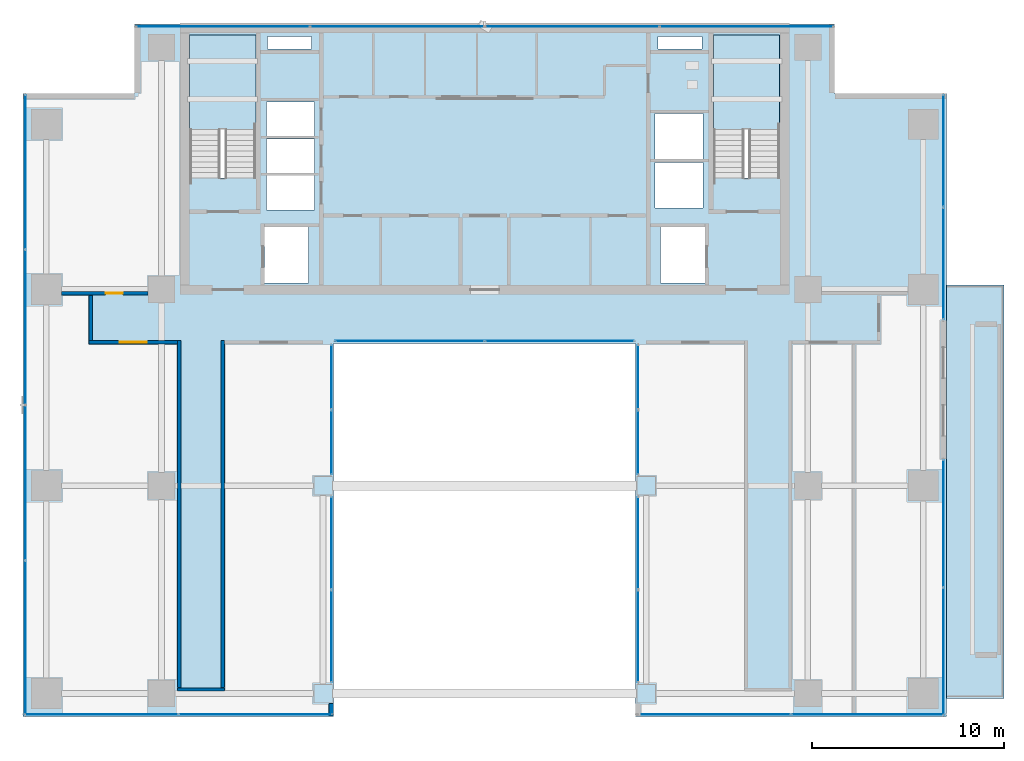
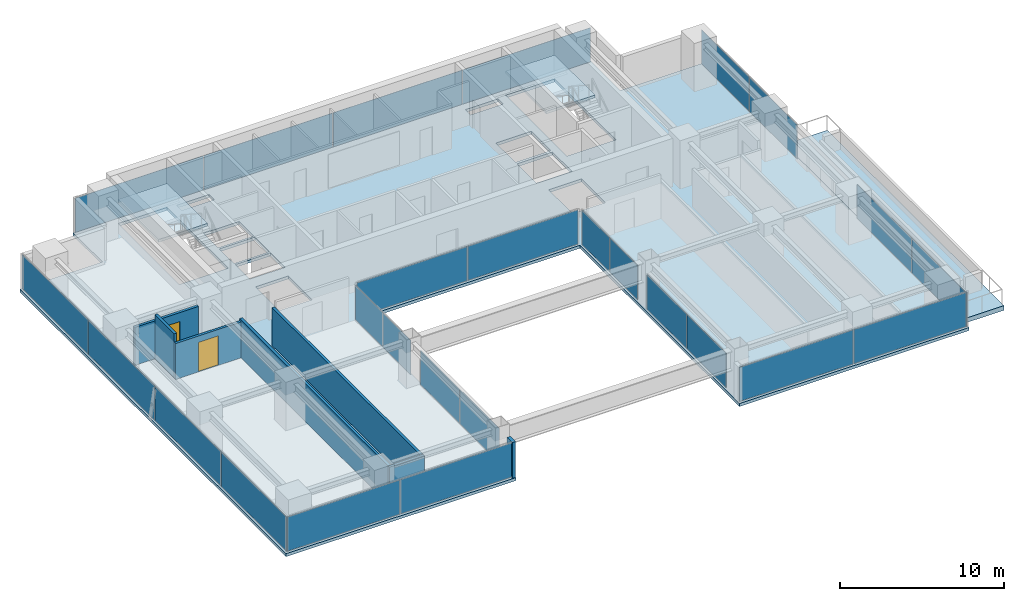
# One storey, part 25 of 32: 26 plates, 7 walls, 4 slabs, 2 doors, 2 openings, 13 elements without a shape of their own.
"""IFC4 building model written with IfcOpenShell, lengths in metres."""

import ifcopenshell
import ifcopenshell.guid

model = None  # the IFC model being written
_history = None  # IfcOwnerHistory: only IFC2X3 demands one
_inside = {}  # id of a spatial element -> (the spatial element, [elements in it])
_under = {}  # id of a project, library or spatial element -> (it, [spatial elements below it])
_declared = {}  # id of a project -> (the project, [libraries it declares])
_typed = {}  # id of a type object -> (the type object, [elements of that type])
_made_of = {}  # id of a material, layer set ... -> (it, [elements and type objects made of it])


def new_model(schema):
    """Start an empty IFC model of exactly this schema.

    Asked for "IFC4X3", IfcOpenShell would pick the latest addendum, in which some entities
    have other attributes; the version numbers below select the first issue.
    IFC2X3 requires an IfcOwnerHistory on every rooted entity: one is made here for all.
    """
    global model, _history
    if schema == "IFC4X3":
        model = ifcopenshell.file(schema_version=(4, 3, 0, 0))
    else:
        model = ifcopenshell.file(schema=schema)
    _inside.clear()
    _under.clear()
    _declared.clear()
    _typed.clear()
    _made_of.clear()
    _history = None
    if model.schema == "IFC2X3":
        org = make("IfcOrganization", Name="unknown")
        user = make(
            "IfcPersonAndOrganization",
            ThePerson=make("IfcPerson", FamilyName="unknown"),
            TheOrganization=org,
        )
        app = make(
            "IfcApplication",
            ApplicationDeveloper=org,
            Version="unknown",
            ApplicationFullName="unknown",
            ApplicationIdentifier="unknown",
        )
        _history = make(
            "IfcOwnerHistory",
            OwningUser=user,
            OwningApplication=app,
            ChangeAction="ADDED",
            CreationDate=0,
        )
    return model


def make(cls, **values):
    """One entity of the class cls with the attributes given. An attribute that is None is left unset."""
    return model.create_entity(
        cls, **{name: value for name, value in values.items() if value is not None}
    )


def rooted(cls, **values):
    """An entity with a GlobalId (a new one), such as an element, a storey or a relation."""
    return make(cls, GlobalId=ifcopenshell.guid.new(), OwnerHistory=_history, **values)


def si_unit(unit_type, name, prefix=None):
    """IfcSIUnit, for example si_unit("LENGTHUNIT", "METRE", prefix="MILLI")."""
    return make("IfcSIUnit", UnitType=unit_type, Prefix=prefix, Name=name)


def assignment(units):
    """IfcUnitAssignment: the units of a project."""
    return None if units is None else make("IfcUnitAssignment", Units=units)


def point(xyz):
    """IfcCartesianPoint."""
    return None if xyz is None else make("IfcCartesianPoint", Coordinates=xyz)


def direction(xyz):
    """IfcDirection."""
    return None if xyz is None else make("IfcDirection", DirectionRatios=xyz)


def frame(location, z_axis=None, x_axis=None):
    """IfcAxis2Placement3D, a coordinate frame: its origin and axes. An axis left out is left unset."""
    return make(
        "IfcAxis2Placement3D",
        Location=point(location),
        Axis=direction(z_axis),
        RefDirection=direction(x_axis),
    )


def frame_2d(location, x_axis=None):
    """IfcAxis2Placement2D, a coordinate frame in the plane: its origin and x axis."""
    return make(
        "IfcAxis2Placement2D", Location=point(location), RefDirection=direction(x_axis)
    )


def origin():
    """The frame at (0, 0, 0) with its axes left unset."""
    return frame((0.0, 0.0, 0.0))


def origin_2d():
    """The frame at (0, 0) in the plane with its x axis left unset."""
    return frame_2d((0.0, 0.0))


def place(relative_to, where):
    """IfcLocalPlacement: puts the frame where relative to a parent placement (None: the world)."""
    return make(
        "IfcLocalPlacement", PlacementRelTo=relative_to, RelativePlacement=where
    )


def context(
    kind, dimensions, precision=None, world=None, true_north=None, identifier=None
):
    """IfcGeometricRepresentationContext, for example the 3D "Model" context."""
    return make(
        "IfcGeometricRepresentationContext",
        ContextIdentifier=identifier,
        ContextType=kind,
        CoordinateSpaceDimension=dimensions,
        Precision=precision,
        WorldCoordinateSystem=world,
        TrueNorth=true_north,
    )


def subcontext(parent, identifier, kind, view, scale=None):
    """IfcGeometricRepresentationSubContext, for example "Body" below "Model"."""
    return make(
        "IfcGeometricRepresentationSubContext",
        ContextIdentifier=identifier,
        ContextType=kind,
        ParentContext=parent,
        TargetScale=scale,
        TargetView=view,
    )


def project(units=None, contexts=None):
    """IfcProject with its units and contexts."""
    return rooted(
        "IfcProject",
        Name="project",
        RepresentationContexts=contexts,
        UnitsInContext=assignment(units),
    )


def spatial(cls, under=None, at=None, **own):
    """A site, building, storey or space (cls), placed at a placement, below another one or the project."""
    s = rooted(cls, ObjectPlacement=at, **own)
    if under is not None:
        _under.setdefault(under.id(), (under, []))[1].append(s)
    return s


def polyline(points):
    """IfcPolyline through the points."""
    return make("IfcPolyline", Points=[point(p) for p in points])


def profile(cls, at=None, kind="AREA", **sizes):
    """A parametric profile (cls). Its sizes go by their IFC names, for example OverallWidth=200.0."""
    return make(cls, ProfileType=kind, Position=at, **sizes)


def rectangle(**sizes):
    """IfcRectangleProfileDef."""
    return profile("IfcRectangleProfileDef", **sizes)


def outline(outer, holes=None, kind="AREA"):
    """IfcArbitraryClosedProfileDef: a profile drawn as a closed curve; with holes, ...WithVoids."""
    if holes is None:
        return make("IfcArbitraryClosedProfileDef", ProfileType=kind, OuterCurve=outer)
    return make(
        "IfcArbitraryProfileDefWithVoids",
        ProfileType=kind,
        OuterCurve=outer,
        InnerCurves=holes,
    )


def extrude(swept, where, along, depth):
    """IfcExtrudedAreaSolid: the profile swept, set in the frame where, extruded along a direction by depth."""
    return make(
        "IfcExtrudedAreaSolid",
        SweptArea=swept,
        Position=where,
        ExtrudedDirection=direction(along),
        Depth=depth,
    )


def shape(context_of_items, identifier, shape_type, items):
    """IfcShapeRepresentation: the items that make up one representation, for example the "Body"."""
    return make(
        "IfcShapeRepresentation",
        ContextOfItems=context_of_items,
        RepresentationIdentifier=identifier,
        RepresentationType=shape_type,
        Items=items,
    )


def source(mapping_origin, context_of_items, identifier, shape_type, items):
    """IfcRepresentationMap: a shape defined once, which mapped items show again and again."""
    return make(
        "IfcRepresentationMap",
        MappingOrigin=mapping_origin,
        MappedRepresentation=shape(context_of_items, identifier, shape_type, items),
    )


def transform(
    local_origin,
    x_axis=None,
    y_axis=None,
    z_axis=None,
    scale=None,
    scale2=None,
    scale3=None,
    uniform=True,
):
    """IfcCartesianTransformationOperator3D, or its non-uniform kind. x_axis, y_axis, z_axis: its Axis1, 2, 3."""
    if uniform:
        return make(
            "IfcCartesianTransformationOperator3D",
            Axis1=direction(x_axis),
            Axis2=direction(y_axis),
            LocalOrigin=point(local_origin),
            Scale=scale,
            Axis3=direction(z_axis),
        )
    return make(
        "IfcCartesianTransformationOperator3DnonUniform",
        Axis1=direction(x_axis),
        Axis2=direction(y_axis),
        LocalOrigin=point(local_origin),
        Scale=scale,
        Axis3=direction(z_axis),
        Scale2=scale2,
        Scale3=scale3,
    )


def mapped(mapping_source, mapping_target):
    """IfcMappedItem: shows the shape of a source again, moved by a transform."""
    return make(
        "IfcMappedItem", MappingSource=mapping_source, MappingTarget=mapping_target
    )


def material(Name=None, Category=None):
    """IfcMaterial."""
    return make("IfcMaterial", Name=Name, Category=Category)


def layer(
    of_material, thickness, ventilated=None, Name=None, Category=None, Priority=None
):
    """IfcMaterialLayer: one layer of a wall or slab, of a material (None: an air gap)."""
    return make(
        "IfcMaterialLayer",
        Material=of_material,
        LayerThickness=thickness,
        IsVentilated=ventilated,
        Name=Name,
        Category=Category,
        Priority=Priority,
    )


def layer_set(layers, Name=None):
    """IfcMaterialLayerSet."""
    return make("IfcMaterialLayerSet", MaterialLayers=layers, LayerSetName=Name)


def made_of(thing, what):
    """Note that an element or type object is made of a material, layer set ...; save() writes the relation."""
    if what is not None:
        _made_of.setdefault(what.id(), (what, []))[1].append(thing)
    return thing


def type_object(cls, material=None, **own):
    """A type object (cls), such as IfcWallType, which elements share."""
    return made_of(rooted(cls, **own), material)


def element(
    cls,
    number,
    at=None,
    inside=None,
    cuts=None,
    type_object=None,
    material=None,
    context=None,
    identifier="Body",
    shape_type=None,
    held_by="IfcProductDefinitionShape",
    body=None,
    shapes=None,
    **own,
):
    """One element of the class cls, such as IfcWall. Its Tag is "e" and its number.

    at: its placement. inside: the storey or other place that contains it. cuts: it is an
    opening in that element (IfcRelVoidsElement). A single representation is given by context,
    identifier, shape_type and body (its items); several are given by shapes. held_by: the class
    of the entity that holds the representations. save() writes the other relations.
    """
    e = rooted(cls, Tag="e%d" % number, ObjectPlacement=at, **own)
    if body is not None:
        shapes = [shape(context, identifier, shape_type, body)]
    if shapes is not None:
        e.Representation = make(held_by, Representations=shapes)
    if inside is not None:
        _inside.setdefault(inside.id(), (inside, []))[1].append(e)
    if cuts is not None:
        rooted(
            "IfcRelVoidsElement", RelatingBuildingElement=cuts, RelatedOpeningElement=e
        )
    if type_object is not None:
        _typed.setdefault(type_object.id(), (type_object, []))[1].append(e)
    return made_of(e, material)


def fill(opening, filler):
    """IfcRelFillsElement: the door or window that sits in an opening."""
    return rooted(
        "IfcRelFillsElement",
        RelatingOpeningElement=opening,
        RelatedBuildingElement=filler,
    )


def aggregate(whole, parts):
    """IfcRelAggregates: a whole, such as a stair, and the parts it consists of."""
    return rooted("IfcRelAggregates", RelatingObject=whole, RelatedObjects=parts)


def save(model, path):
    """Write the relations noted so far, then the file.

    IfcRelAggregates (storeys below a building ...), IfcRelContainedInSpatialStructure (elements
    in a storey), IfcRelDefinesByType, IfcRelAssociatesMaterial and IfcRelDeclares: one each for
    every whole, place, type object, material and project.
    """
    for whole, parts in _under.values():
        aggregate(whole, parts)
    for where, things in _inside.values():
        rooted(
            "IfcRelContainedInSpatialStructure",
            RelatedElements=things,
            RelatingStructure=where,
        )
    for kind, things in _typed.values():
        rooted("IfcRelDefinesByType", RelatedObjects=things, RelatingType=kind)
    for what, things in _made_of.values():
        rooted("IfcRelAssociatesMaterial", RelatedObjects=things, RelatingMaterial=what)
    for by, libraries in _declared.values():
        rooted("IfcRelDeclares", RelatingContext=by, RelatedDefinitions=libraries)
    model.write(path)


model = new_model("IFC4")

# Units and contexts
model_context = context("Model", 3, precision=1e-05, world=origin(), true_north=direction((0.0, 1.0)))
body_context = subcontext(model_context, "Body", "Model", "MODEL_VIEW")
ifc_project = project(units=[si_unit("LENGTHUNIT", "METRE"), si_unit("AREAUNIT", "SQUARE_METRE"), si_unit("VOLUMEUNIT", "CUBIC_METRE"), si_unit("PLANEANGLEUNIT", "RADIAN"), si_unit("MASSUNIT", "GRAM", prefix="KILO")], contexts=[model_context])

# Site, building, storey
site_placement = place(None, origin())
site = spatial("IfcSite", under=ifc_project, at=site_placement, CompositionType="ELEMENT")
building_placement = place(site_placement, origin())
building = spatial("IfcBuilding", under=site, at=building_placement, Name="Sumidabori Civic Tower", CompositionType="ELEMENT")
storey_placement = place(building_placement, frame((0.0, 0.0, 225.199951171875)))
storey = spatial("IfcBuildingStorey", under=building, at=storey_placement, Name="L58", CompositionType="ELEMENT", Elevation=225.199951171875)

# Stair, slab
ifc_material_1 = material(Name="Concrete C40/50", Category="concrete")
stair_type = type_object("IfcStairType", Name="ST-CORE-1600", PredefinedType="HALF_TURN_STAIR", material=ifc_material_1)
stair_1_placement = place(storey_placement, origin())
stair_1 = element("IfcStair", 1, at=stair_1_placement, inside=storey, type_object=stair_type, Name="L58 ST-1", PredefinedType="HALF_TURN_STAIR")
ifc_layer_1 = layer(ifc_material_1, 0.199951171875, Name="Concrete C40/50")
ifc_layer_set_1 = layer_set([ifc_layer_1], Name="Concrete C40/50")
slab_type_1 = type_object("IfcSlabType", Name="SL-LAND-200", PredefinedType="LANDING", material=ifc_layer_set_1)
slab_1_placement = place(storey_placement, frame((0.0, 0.0, 1.60009765625)))
slab_1 = element("IfcSlab", 2, at=slab_1_placement, type_object=slab_type_1, Name="ST-1 landing 1", PredefinedType="LANDING", context=body_context, shape_type="SweptSolid", body=[
    extrude(outline(polyline([(-11.89990234375, 18.52001953125), (-11.89990234375, 23.449951171875), (-15.340087890625, 23.449951171875), (-15.340087890625, 18.52001953125), (-11.89990234375, 18.52001953125)])), origin(), (0.0, 0.0, 1.0), 0.199951171875),
])
aggregate(stair_1, [slab_1])

stair_2_placement = place(storey_placement, origin())
stair_2 = element("IfcStair", 3, at=stair_2_placement, inside=storey, type_object=stair_type, Name="L58 ST-2", PredefinedType="HALF_TURN_STAIR")
slab_2_placement = place(storey_placement, frame((0.0, 0.0, 1.60009765625)))
slab_2 = element("IfcSlab", 4, at=slab_2_placement, type_object=slab_type_1, Name="ST-2 landing 1", PredefinedType="LANDING", context=body_context, shape_type="SweptSolid", body=[
    extrude(outline(polyline([(15.340087890625, 18.52001953125), (15.340087890625, 23.449951171875), (11.89990234375, 23.449951171875), (11.89990234375, 18.52001953125), (15.340087890625, 18.52001953125)])), origin(), (0.0, 0.0, 1.0), 0.199951171875),
])
aggregate(stair_2, [slab_2])

# Slabs
ifc_material_2 = material(Name="Concrete C50/60", Category="concrete")
ifc_layer_2 = layer(ifc_material_2, 0.340087890625, Name="Concrete C50/60")
ifc_layer_set_2 = layer_set([ifc_layer_2], Name="Concrete C50/60")
slab_type_2 = type_object("IfcSlabType", Name="SL-POOL-340", PredefinedType="FLOOR", material=ifc_layer_set_2)
slab_3_placement = place(storey_placement, frame((0.0, 0.0, -0.33984375)))
element("IfcSlab", 5, at=slab_3_placement, inside=storey, type_object=slab_type_2, Name="Sky Pool Cantilever Deck TER-L58-POOL", PredefinedType="FLOOR", context=body_context, shape_type="SweptSolid", body=[
    extrude(outline(polyline([(24.0, -11.050048828125), (27.0, -11.050048828125), (27.0, 10.449951171875), (24.0, 10.449951171875), (24.0, -11.050048828125)])), origin(), (0.0, 0.0, 1.0), 0.33984375),
])
ifc_layer_3 = layer(ifc_material_1, 0.219970703125, Name="Concrete C40/50")
ifc_layer_set_3 = layer_set([ifc_layer_3], Name="Concrete C40/50")
slab_type_3 = type_object("IfcSlabType", Name="SL-Z3-220", PredefinedType="FLOOR", material=ifc_layer_set_3)
slab_4_placement = place(storey_placement, frame((0.0, 0.0, -0.219970703125)))
element("IfcSlab", 6, at=slab_4_placement, inside=storey, type_object=slab_type_3, Name="Structural Slab L58", PredefinedType="FLOOR", context=body_context, shape_type="SweptSolid", body=[
    extrude(outline(polyline([(-24.0, -12.0), (-7.85009765625, -12.0), (-7.85009765625, 7.39990234375), (7.85009765625, 7.39990234375), (7.85009765625, -12.0), (24.0, -12.0), (24.0, 20.39990234375), (18.199951171875, 20.39990234375), (18.199951171875, 24.0), (-18.199951171875, 24.0), (-18.199951171875, 20.39990234375), (-24.0, 20.39990234375), (-24.0, -12.0)]), holes=[polyline([(-11.89990234375, 16.0), (-11.89990234375, 23.449951171875), (-15.340087890625, 23.449951171875), (-15.340087890625, 16.0), (-11.89990234375, 16.0)]), polyline([(15.340087890625, 16.0), (15.340087890625, 23.449951171875), (11.89990234375, 23.449951171875), (11.89990234375, 16.0), (15.340087890625, 16.0)]), polyline([(-11.449951171875, 10.550048828125), (-9.14990234375, 10.550048828125), (-9.14990234375, 13.449951171875), (-11.449951171875, 13.449951171875), (-11.449951171875, 10.550048828125)]), polyline([(9.14990234375, 10.550048828125), (11.449951171875, 10.550048828125), (11.449951171875, 13.449951171875), (9.14990234375, 13.449951171875), (9.14990234375, 10.550048828125)]), polyline([(-11.35009765625, 14.35009765625), (-8.85009765625, 14.35009765625), (-8.85009765625, 16.1201171875), (-11.35009765625, 16.1201171875), (-11.35009765625, 14.35009765625)]), polyline([(-11.35009765625, 16.27001953125), (-8.85009765625, 16.27001953125), (-8.85009765625, 18.0400390625), (-11.35009765625, 18.0400390625), (-11.35009765625, 16.27001953125)]), polyline([(-11.35009765625, 18.18994140625), (-8.85009765625, 18.18994140625), (-8.85009765625, 19.9599609375), (-11.35009765625, 19.9599609375), (-11.35009765625, 18.18994140625)]), polyline([(8.85009765625, 14.449951171875), (11.35009765625, 14.449951171875), (11.35009765625, 16.800048828125), (8.85009765625, 16.800048828125), (8.85009765625, 14.449951171875)]), polyline([(8.85009765625, 17.0), (11.35009765625, 17.0), (11.35009765625, 19.35009765625), (8.85009765625, 19.35009765625), (8.85009765625, 17.0)]), polyline([(-11.300048828125, 22.719970703125), (-9.0, 22.719970703125), (-9.0, 23.35009765625), (-11.300048828125, 23.35009765625), (-11.300048828125, 22.719970703125)]), polyline([(9.0, 22.719970703125), (11.300048828125, 22.719970703125), (11.300048828125, 23.35009765625), (9.0, 23.35009765625), (9.0, 22.719970703125)])]), origin(), (0.0, 0.0, 1.0), 0.219970703125),
])

# Curtain wall, plates
ifc_material_3 = material(Name="Anodised Bronze Aluminium AW-6063-T6", Category="aluminium")
ifc_layer_4 = layer(ifc_material_3, 0.179931640625, Name="Anodised Bronze Aluminium AW-6063-T6")
ifc_layer_set_4 = layer_set([ifc_layer_4], Name="Anodised Bronze Aluminium AW-6063-T6")
curtain_wall_type_1 = type_object("IfcCurtainWallType", Name="CW-SYS-5", PredefinedType="NOTDEFINED", material=ifc_layer_set_4)
curtain_wall_1_placement = place(storey_placement, origin())
curtain_wall_1 = element("IfcCurtainWall", 7, at=curtain_wall_1_placement, inside=storey, type_object=curtain_wall_type_1, Name="Curtain Wall CW:L58:R01", PredefinedType="NOTDEFINED")
ifc_material_4 = material(Name="Low-E Solar-Control Vision Glazing", Category="glass")
ifc_layer_5 = layer(ifc_material_4, 0.028076171875, Name="Low-E Solar-Control Vision Glazing")
ifc_layer_set_5 = layer_set([ifc_layer_5], Name="Low-E Solar-Control Vision Glazing")
plate_type_1 = type_object("IfcPlateType", Name="CW-PNL-28", PredefinedType="CURTAIN_PANEL", material=ifc_layer_set_5)
shared_shape_1 = source(origin(), body_context, "Body", "SweptSolid", [
    extrude(rectangle(XDim=7.955078125, YDim=0.028076171875, at=origin_2d()), origin(), (0.0, 0.0, 1.0), 2.5400390625),
])
plate_1_placement = place(storey_placement, frame((-19.9326171875, -11.8798828125, 0.06005859375), z_axis=(0.0, 0.0, 1.0), x_axis=(1.0, 0.0, 0.0)))
plate_1 = element("IfcPlate", 8, at=plate_1_placement, type_object=plate_type_1, Name="CW-5 panel 1.1", PredefinedType="CURTAIN_PANEL", context=body_context, shape_type="MappedRepresentation", body=[
    mapped(shared_shape_1, transform((0.0, 0.0, 0.0), x_axis=(1.0, 0.0, 0.0), y_axis=(0.0, 1.0, 0.0), z_axis=(0.0, 0.0, 1.0), scale=1.0)),
])
plate_2_placement = place(storey_placement, frame((-11.91748046875, -11.8798828125, 0.06005859375), z_axis=(0.0, 0.0, 1.0), x_axis=(1.0, 0.0, 0.0)))
plate_2 = element("IfcPlate", 9, at=plate_2_placement, type_object=plate_type_1, Name="CW-5 panel 2.1", PredefinedType="CURTAIN_PANEL", context=body_context, shape_type="MappedRepresentation", body=[
    mapped(shared_shape_1, transform((0.0, 0.0, 0.0), x_axis=(1.0, 0.0, 0.0), y_axis=(0.0, 1.0, 0.0), z_axis=(0.0, 0.0, 1.0), scale=1.0)),
])
aggregate(curtain_wall_1, [plate_1, plate_2])

curtain_wall_2_placement = place(storey_placement, origin())
curtain_wall_2 = element("IfcCurtainWall", 10, at=curtain_wall_2_placement, inside=storey, type_object=curtain_wall_type_1, Name="Curtain Wall CW:L58:R09", PredefinedType="NOTDEFINED")
plate_3_placement = place(storey_placement, frame((11.91748046875, -11.8798828125, 0.06005859375), z_axis=(0.0, 0.0, 1.0), x_axis=(1.0, 0.0, 0.0)))
plate_3 = element("IfcPlate", 11, at=plate_3_placement, type_object=plate_type_1, Name="CW-5 panel 1.1", PredefinedType="CURTAIN_PANEL", context=body_context, shape_type="MappedRepresentation", body=[
    mapped(shared_shape_1, transform((0.0, 0.0, 0.0), x_axis=(1.0, 0.0, 0.0), y_axis=(0.0, 1.0, 0.0), z_axis=(0.0, 0.0, 1.0), scale=1.0)),
])
plate_4_placement = place(storey_placement, frame((19.9326171875, -11.8798828125, 0.06005859375), z_axis=(0.0, 0.0, 1.0), x_axis=(1.0, 0.0, 0.0)))
plate_4 = element("IfcPlate", 12, at=plate_4_placement, type_object=plate_type_1, Name="CW-5 panel 2.1", PredefinedType="CURTAIN_PANEL", context=body_context, shape_type="MappedRepresentation", body=[
    mapped(shared_shape_1, transform((0.0, 0.0, 0.0), x_axis=(1.0, 0.0, 0.0), y_axis=(0.0, 1.0, 0.0), z_axis=(0.0, 0.0, 1.0), scale=1.0)),
])
aggregate(curtain_wall_2, [plate_3, plate_4])

ifc_layer_6 = layer(ifc_material_3, 0.179931640625, Name="Anodised Bronze Aluminium AW-6063-T6")
ifc_layer_set_6 = layer_set([ifc_layer_6], Name="Anodised Bronze Aluminium AW-6063-T6")
curtain_wall_type_2 = type_object("IfcCurtainWallType", Name="CW-SYS-4", PredefinedType="NOTDEFINED", material=ifc_layer_set_6)
curtain_wall_3_placement = place(storey_placement, origin())
curtain_wall_3 = element("IfcCurtainWall", 13, at=curtain_wall_3_placement, inside=storey, type_object=curtain_wall_type_2, Name="Curtain Wall CW:L58:R03", PredefinedType="NOTDEFINED")
ifc_material_5 = material(Name="Acoustic Laminated Portal Glazing", Category="glass")
ifc_layer_7 = layer(ifc_material_5, 0.030029296875, Name="Acoustic Laminated Portal Glazing")
ifc_layer_set_7 = layer_set([ifc_layer_7], Name="Acoustic Laminated Portal Glazing")
plate_type_2 = type_object("IfcPlateType", Name="CW-PNL-30", PredefinedType="CURTAIN_PANEL", material=ifc_layer_set_7)
shared_shape_2 = source(origin(), body_context, "Body", "SweptSolid", [
    extrude(rectangle(XDim=4.780029296875, YDim=0.030029296875, at=origin_2d()), origin(), (0.0, 0.0, 1.0), 2.5400390625),
])
plate_5_placement = place(storey_placement, frame((-7.969970703125, -7.820068359375, 0.06005859375), z_axis=(0.0, 0.0, 1.0), x_axis=(0.0, 1.0, 0.0)))
plate_5 = element("IfcPlate", 14, at=plate_5_placement, type_object=plate_type_2, Name="CW-4 panel 1.1", PredefinedType="CURTAIN_PANEL", context=body_context, shape_type="MappedRepresentation", body=[
    mapped(shared_shape_2, transform((0.0, 0.0, 0.0), x_axis=(1.0, 0.0, 0.0), y_axis=(0.0, 1.0, 0.0), z_axis=(0.0, 0.0, 1.0), scale=1.0)),
])
plate_6_placement = place(storey_placement, frame((-7.969970703125, -2.97998046875, 0.06005859375), z_axis=(0.0, 0.0, 1.0), x_axis=(0.0, 1.0, 0.0)))
plate_6 = element("IfcPlate", 15, at=plate_6_placement, type_object=plate_type_2, Name="CW-4 panel 2.1", PredefinedType="CURTAIN_PANEL", context=body_context, shape_type="MappedRepresentation", body=[
    mapped(shared_shape_2, transform((0.0, 0.0, 0.0), x_axis=(1.0, 0.0, 0.0), y_axis=(0.0, 1.0, 0.0), z_axis=(0.0, 0.0, 1.0), scale=1.0)),
])
aggregate(curtain_wall_3, [plate_5, plate_6])

curtain_wall_4_placement = place(storey_placement, origin())
curtain_wall_4 = element("IfcCurtainWall", 16, at=curtain_wall_4_placement, inside=storey, type_object=curtain_wall_type_2, Name="Curtain Wall CW:L58:R07", PredefinedType="NOTDEFINED")
plate_7_placement = place(storey_placement, frame((7.969970703125, -2.97998046875, 0.06005859375), z_axis=(0.0, 0.0, 1.0), x_axis=(0.0, -1.0, 0.0)))
plate_7 = element("IfcPlate", 17, at=plate_7_placement, type_object=plate_type_2, Name="CW-4 panel 1.1", PredefinedType="CURTAIN_PANEL", context=body_context, shape_type="MappedRepresentation", body=[
    mapped(shared_shape_2, transform((0.0, 0.0, 0.0), x_axis=(1.0, 0.0, 0.0), y_axis=(0.0, 1.0, 0.0), z_axis=(0.0, 0.0, 1.0), scale=1.0)),
])
plate_8_placement = place(storey_placement, frame((7.969970703125, -7.820068359375, 0.06005859375), z_axis=(0.0, 0.0, 1.0), x_axis=(0.0, -1.0, 0.0)))
plate_8 = element("IfcPlate", 18, at=plate_8_placement, type_object=plate_type_2, Name="CW-4 panel 2.1", PredefinedType="CURTAIN_PANEL", context=body_context, shape_type="MappedRepresentation", body=[
    mapped(shared_shape_2, transform((0.0, 0.0, 0.0), x_axis=(1.0, 0.0, 0.0), y_axis=(0.0, 1.0, 0.0), z_axis=(0.0, 0.0, 1.0), scale=1.0)),
])
aggregate(curtain_wall_4, [plate_7, plate_8])

curtain_wall_5_placement = place(storey_placement, origin())
curtain_wall_5 = element("IfcCurtainWall", 19, at=curtain_wall_5_placement, inside=storey, type_object=curtain_wall_type_2, Name="Curtain Wall CW:L58:R04", PredefinedType="NOTDEFINED")
shared_shape_3 = source(origin(), body_context, "Body", "SweptSolid", [
    extrude(rectangle(XDim=3.330078125, YDim=0.030029296875, at=origin_2d()), origin(), (0.0, 0.0, 1.0), 2.5400390625),
])
plate_9_placement = place(storey_placement, frame((-7.969970703125, 2.2548828125, 0.06005859375), z_axis=(0.0, 0.0, 1.0), x_axis=(0.0, 1.0, 0.0)))
plate_9 = element("IfcPlate", 20, at=plate_9_placement, type_object=plate_type_2, Name="CW-4 panel 1.1", PredefinedType="CURTAIN_PANEL", context=body_context, shape_type="MappedRepresentation", body=[
    mapped(shared_shape_3, transform((0.0, 0.0, 0.0), x_axis=(1.0, 0.0, 0.0), y_axis=(0.0, 1.0, 0.0), z_axis=(0.0, 0.0, 1.0), scale=1.0)),
])
plate_10_placement = place(storey_placement, frame((-7.969970703125, 5.64501953125, 0.06005859375), z_axis=(0.0, 0.0, 1.0), x_axis=(0.0, 1.0, 0.0)))
plate_10 = element("IfcPlate", 21, at=plate_10_placement, type_object=plate_type_2, Name="CW-4 panel 2.1", PredefinedType="CURTAIN_PANEL", context=body_context, shape_type="MappedRepresentation", body=[
    mapped(shared_shape_3, transform((0.0, 0.0, 0.0), x_axis=(1.0, 0.0, 0.0), y_axis=(0.0, 1.0, 0.0), z_axis=(0.0, 0.0, 1.0), scale=1.0)),
])
aggregate(curtain_wall_5, [plate_9, plate_10])

curtain_wall_6_placement = place(storey_placement, origin())
curtain_wall_6 = element("IfcCurtainWall", 22, at=curtain_wall_6_placement, inside=storey, type_object=curtain_wall_type_2, Name="Curtain Wall CW:L58:R06", PredefinedType="NOTDEFINED")
plate_11_placement = place(storey_placement, frame((7.969970703125, 5.64501953125, 0.06005859375), z_axis=(0.0, 0.0, 1.0), x_axis=(0.0, -1.0, 0.0)))
plate_11 = element("IfcPlate", 23, at=plate_11_placement, type_object=plate_type_2, Name="CW-4 panel 1.1", PredefinedType="CURTAIN_PANEL", context=body_context, shape_type="MappedRepresentation", body=[
    mapped(shared_shape_3, transform((0.0, 0.0, 0.0), x_axis=(1.0, 0.0, 0.0), y_axis=(0.0, 1.0, 0.0), z_axis=(0.0, 0.0, 1.0), scale=1.0)),
])
plate_12_placement = place(storey_placement, frame((7.969970703125, 2.2548828125, 0.06005859375), z_axis=(0.0, 0.0, 1.0), x_axis=(0.0, -1.0, 0.0)))
plate_12 = element("IfcPlate", 24, at=plate_12_placement, type_object=plate_type_2, Name="CW-4 panel 2.1", PredefinedType="CURTAIN_PANEL", context=body_context, shape_type="MappedRepresentation", body=[
    mapped(shared_shape_3, transform((0.0, 0.0, 0.0), x_axis=(1.0, 0.0, 0.0), y_axis=(0.0, 1.0, 0.0), z_axis=(0.0, 0.0, 1.0), scale=1.0)),
])
aggregate(curtain_wall_6, [plate_11, plate_12])

curtain_wall_7_placement = place(storey_placement, origin())
curtain_wall_7 = element("IfcCurtainWall", 25, at=curtain_wall_7_placement, inside=storey, type_object=curtain_wall_type_2, Name="Curtain Wall CW:L58:R05", PredefinedType="NOTDEFINED")
shared_shape_4 = source(origin(), body_context, "Body", "SweptSolid", [
    extrude(rectangle(XDim=7.72998046875, YDim=0.030029296875, at=origin_2d()), origin(), (0.0, 0.0, 1.0), 2.5400390625),
])
plate_13_placement = place(storey_placement, frame((-3.89501953125, 7.52001953125, 0.06005859375), z_axis=(0.0, 0.0, 1.0), x_axis=(1.0, 0.0, 0.0)))
plate_13 = element("IfcPlate", 26, at=plate_13_placement, type_object=plate_type_2, Name="CW-4 panel 1.1", PredefinedType="CURTAIN_PANEL", context=body_context, shape_type="MappedRepresentation", body=[
    mapped(shared_shape_4, transform((0.0, 0.0, 0.0), x_axis=(1.0, 0.0, 0.0), y_axis=(0.0, 1.0, 0.0), z_axis=(0.0, 0.0, 1.0), scale=1.0)),
])
plate_14_placement = place(storey_placement, frame((3.89501953125, 7.52001953125, 0.06005859375), z_axis=(0.0, 0.0, 1.0), x_axis=(1.0, 0.0, 0.0)))
plate_14 = element("IfcPlate", 27, at=plate_14_placement, type_object=plate_type_2, Name="CW-4 panel 2.1", PredefinedType="CURTAIN_PANEL", context=body_context, shape_type="MappedRepresentation", body=[
    mapped(shared_shape_4, transform((0.0, 0.0, 0.0), x_axis=(1.0, 0.0, 0.0), y_axis=(0.0, 1.0, 0.0), z_axis=(0.0, 0.0, 1.0), scale=1.0)),
])
aggregate(curtain_wall_7, [plate_13, plate_14])

curtain_wall_8_placement = place(storey_placement, origin())
curtain_wall_8 = element("IfcCurtainWall", 28, at=curtain_wall_8_placement, inside=storey, type_object=curtain_wall_type_1, Name="Curtain Wall CW:L58:R10", PredefinedType="NOTDEFINED")
shared_shape_5 = source(origin(), body_context, "Body", "SweptSolid", [
    extrude(rectangle(XDim=6.594970703125, YDim=0.028076171875, at=origin_2d()), origin(), (0.0, 0.0, 1.0), 2.5400390625),
])
plate_15_placement = place(storey_placement, frame((23.85009765625, -8.612548828125, 0.06005859375), z_axis=(0.0, 0.0, 1.0), x_axis=(0.0, 1.0, 0.0)))
plate_15 = element("IfcPlate", 29, at=plate_15_placement, type_object=plate_type_1, Name="CW-5 panel 1.1", PredefinedType="CURTAIN_PANEL", context=body_context, shape_type="MappedRepresentation", body=[
    mapped(shared_shape_5, transform((0.0, 0.0, 0.0), x_axis=(1.0, 0.0, 0.0), y_axis=(0.0, 1.0, 0.0), z_axis=(0.0, 0.0, 1.0), scale=1.0)),
])
plate_16_placement = place(storey_placement, frame((23.85009765625, -1.95751953125, 0.06005859375), z_axis=(0.0, 0.0, 1.0), x_axis=(0.0, 1.0, 0.0)))
plate_16 = element("IfcPlate", 30, at=plate_16_placement, type_object=plate_type_1, Name="CW-5 panel 2.1", PredefinedType="CURTAIN_PANEL", context=body_context, shape_type="MappedRepresentation", body=[
    mapped(shared_shape_5, transform((0.0, 0.0, 0.0), x_axis=(1.0, 0.0, 0.0), y_axis=(0.0, 1.0, 0.0), z_axis=(0.0, 0.0, 1.0), scale=1.0)),
])
aggregate(curtain_wall_8, [plate_15, plate_16])

curtain_wall_9_placement = place(storey_placement, origin())
curtain_wall_9 = element("IfcCurtainWall", 31, at=curtain_wall_9_placement, inside=storey, type_object=curtain_wall_type_1, Name="Curtain Wall CW:L58:R11", PredefinedType="NOTDEFINED")
shared_shape_6 = source(origin(), body_context, "Body", "SweptSolid", [
    extrude(rectangle(XDim=5.794921875, YDim=0.028076171875, at=origin_2d()), origin(), (0.0, 0.0, 1.0), 2.5400390625),
])
plate_17_placement = place(storey_placement, frame((23.85009765625, 11.5576171875, 0.06005859375), z_axis=(0.0, 0.0, 1.0), x_axis=(0.0, 1.0, 0.0)))
plate_17 = element("IfcPlate", 32, at=plate_17_placement, type_object=plate_type_1, Name="CW-5 panel 1.1", PredefinedType="CURTAIN_PANEL", context=body_context, shape_type="MappedRepresentation", body=[
    mapped(shared_shape_6, transform((0.0, 0.0, 0.0), x_axis=(1.0, 0.0, 0.0), y_axis=(0.0, 1.0, 0.0), z_axis=(0.0, 0.0, 1.0), scale=1.0)),
])
plate_18_placement = place(storey_placement, frame((23.85009765625, 17.41259765625, 0.06005859375), z_axis=(0.0, 0.0, 1.0), x_axis=(0.0, 1.0, 0.0)))
plate_18 = element("IfcPlate", 33, at=plate_18_placement, type_object=plate_type_1, Name="CW-5 panel 2.1", PredefinedType="CURTAIN_PANEL", context=body_context, shape_type="MappedRepresentation", body=[
    mapped(shared_shape_6, transform((0.0, 0.0, 0.0), x_axis=(1.0, 0.0, 0.0), y_axis=(0.0, 1.0, 0.0), z_axis=(0.0, 0.0, 1.0), scale=1.0)),
])
aggregate(curtain_wall_9, [plate_17, plate_18])

curtain_wall_10_placement = place(storey_placement, origin())
curtain_wall_10 = element("IfcCurtainWall", 34, at=curtain_wall_10_placement, inside=storey, type_object=curtain_wall_type_1, Name="Curtain Wall CW:L58:R14", PredefinedType="NOTDEFINED")
shared_shape_7 = source(origin(), body_context, "Body", "SweptSolid", [
    extrude(rectangle(XDim=8.9951171875, YDim=0.028076171875, at=origin_2d()), origin(), (0.0, 0.0, 1.0), 2.5400390625),
])
plate_19_placement = place(storey_placement, frame((13.612548828125, 23.8798828125, 0.06005859375), z_axis=(0.0, 0.0, 1.0), x_axis=(-1.0, 0.0, 0.0)))
plate_19 = element("IfcPlate", 35, at=plate_19_placement, type_object=plate_type_1, Name="CW-5 panel 1.1", PredefinedType="CURTAIN_PANEL", context=body_context, shape_type="MappedRepresentation", body=[
    mapped(shared_shape_7, transform((0.0, 0.0, 0.0), x_axis=(1.0, 0.0, 0.0), y_axis=(0.0, 1.0, 0.0), z_axis=(0.0, 0.0, 1.0), scale=1.0)),
])
plate_20_placement = place(storey_placement, frame((-13.612548828125, 23.8798828125, 0.06005859375), z_axis=(0.0, 0.0, 1.0), x_axis=(-1.0, 0.0, 0.0)))
plate_20 = element("IfcPlate", 36, at=plate_20_placement, type_object=plate_type_1, Name="CW-5 panel 4.1", PredefinedType="CURTAIN_PANEL", context=body_context, shape_type="MappedRepresentation", body=[
    mapped(shared_shape_7, transform((0.0, 0.0, 0.0), x_axis=(1.0, 0.0, 0.0), y_axis=(0.0, 1.0, 0.0), z_axis=(0.0, 0.0, 1.0), scale=1.0)),
])
shared_shape_8 = source(origin(), body_context, "Body", "SweptSolid", [
    extrude(rectangle(XDim=9.02490234375, YDim=0.028076171875, at=origin_2d()), origin(), (0.0, 0.0, 1.0), 2.5400390625),
])
plate_21_placement = place(storey_placement, frame((4.54248046875, 23.8798828125, 0.06005859375), z_axis=(0.0, 0.0, 1.0), x_axis=(-1.0, 0.0, 0.0)))
plate_21 = element("IfcPlate", 37, at=plate_21_placement, type_object=plate_type_1, Name="CW-5 panel 2.1", PredefinedType="CURTAIN_PANEL", context=body_context, shape_type="MappedRepresentation", body=[
    mapped(shared_shape_8, transform((0.0, 0.0, 0.0), x_axis=(1.0, 0.0, 0.0), y_axis=(0.0, 1.0, 0.0), z_axis=(0.0, 0.0, 1.0), scale=1.0)),
])
plate_22_placement = place(storey_placement, frame((-4.54248046875, 23.8798828125, 0.06005859375), z_axis=(0.0, 0.0, 1.0), x_axis=(-1.0, 0.0, 0.0)))
plate_22 = element("IfcPlate", 38, at=plate_22_placement, type_object=plate_type_1, Name="CW-5 panel 3.1", PredefinedType="CURTAIN_PANEL", context=body_context, shape_type="MappedRepresentation", body=[
    mapped(shared_shape_8, transform((0.0, 0.0, 0.0), x_axis=(1.0, 0.0, 0.0), y_axis=(0.0, 1.0, 0.0), z_axis=(0.0, 0.0, 1.0), scale=1.0)),
])
aggregate(curtain_wall_10, [plate_19, plate_21, plate_22, plate_20])

curtain_wall_11_placement = place(storey_placement, origin())
curtain_wall_11 = element("IfcCurtainWall", 39, at=curtain_wall_11_placement, inside=storey, type_object=curtain_wall_type_1, Name="Curtain Wall CW:L58:R17", PredefinedType="NOTDEFINED")
shared_shape_9 = source(origin(), body_context, "Body", "SweptSolid", [
    extrude(rectangle(XDim=7.9951171875, YDim=0.028076171875, at=origin_2d()), origin(), (0.0, 0.0, 1.0), 2.5400390625),
])
plate_23_placement = place(storey_placement, frame((-23.8798828125, 16.3125, 0.06005859375), z_axis=(0.0, 0.0, 1.0), x_axis=(0.0, -1.0, 0.0)))
plate_23 = element("IfcPlate", 40, at=plate_23_placement, type_object=plate_type_1, Name="CW-5 panel 1.1", PredefinedType="CURTAIN_PANEL", context=body_context, shape_type="MappedRepresentation", body=[
    mapped(shared_shape_9, transform((0.0, 0.0, 0.0), x_axis=(1.0, 0.0, 0.0), y_axis=(0.0, 1.0, 0.0), z_axis=(0.0, 0.0, 1.0), scale=1.0)),
])
plate_24_placement = place(storey_placement, frame((-23.8798828125, -7.91259765625, 0.06005859375), z_axis=(0.0, 0.0, 1.0), x_axis=(0.0, -1.0, 0.0)))
plate_24 = element("IfcPlate", 41, at=plate_24_placement, type_object=plate_type_1, Name="CW-5 panel 4.1", PredefinedType="CURTAIN_PANEL", context=body_context, shape_type="MappedRepresentation", body=[
    mapped(shared_shape_9, transform((0.0, 0.0, 0.0), x_axis=(1.0, 0.0, 0.0), y_axis=(0.0, 1.0, 0.0), z_axis=(0.0, 0.0, 1.0), scale=1.0)),
])
shared_shape_10 = source(origin(), body_context, "Body", "SweptSolid", [
    extrude(rectangle(XDim=8.02490234375, YDim=0.028076171875, at=origin_2d()), origin(), (0.0, 0.0, 1.0), 2.5400390625),
])
plate_25_placement = place(storey_placement, frame((-23.8798828125, 8.242431640625, 0.06005859375), z_axis=(0.0, 0.0, 1.0), x_axis=(0.0, -1.0, 0.0)))
plate_25 = element("IfcPlate", 42, at=plate_25_placement, type_object=plate_type_1, Name="CW-5 panel 2.1", PredefinedType="CURTAIN_PANEL", context=body_context, shape_type="MappedRepresentation", body=[
    mapped(shared_shape_10, transform((0.0, 0.0, 0.0), x_axis=(1.0, 0.0, 0.0), y_axis=(0.0, 1.0, 0.0), z_axis=(0.0, 0.0, 1.0), scale=1.0)),
])
plate_26_placement = place(storey_placement, frame((-23.8798828125, 0.157470703125, 0.06005859375), z_axis=(0.0, 0.0, 1.0), x_axis=(0.0, -1.0, 0.0)))
plate_26 = element("IfcPlate", 43, at=plate_26_placement, type_object=plate_type_1, Name="CW-5 panel 3.1", PredefinedType="CURTAIN_PANEL", context=body_context, shape_type="MappedRepresentation", body=[
    mapped(shared_shape_10, transform((0.0, 0.0, 0.0), x_axis=(1.0, 0.0, 0.0), y_axis=(0.0, 1.0, 0.0), z_axis=(0.0, 0.0, 1.0), scale=1.0)),
])
aggregate(curtain_wall_11, [plate_23, plate_25, plate_26, plate_24])

# Wall
ifc_material_6 = material(Name="Precast concrete C40/50", Category="concrete")
ifc_layer_8 = layer(ifc_material_6, 0.300048828125, Name="Precast concrete C40/50")
ifc_layer_set_8 = layer_set([ifc_layer_8], Name="Precast concrete C40/50")
wall_type_1 = type_object("IfcWallType", Name="WL-EXT-POD300", PredefinedType="STANDARD", material=ifc_layer_set_8)
shared_shape_11 = source(origin(), body_context, "Body", "SweptSolid", [
    extrude(rectangle(XDim=0.639892578125, YDim=0.239990234375, at=frame_2d((0.31982421875, 0.0))), origin(), (0.0, 0.0, 1.0), 2.66015625),
])
wall_1_placement = place(storey_placement, frame((-7.969970703125, -11.969970703125, 0.0), z_axis=(0.0, 0.0, 1.0), x_axis=(0.0, 1.0, 0.0)))
element("IfcWall", 44, at=wall_1_placement, inside=storey, type_object=wall_type_1, Name="Perimeter Pier Spandrel L58-02", PredefinedType="STANDARD", context=body_context, shape_type="MappedRepresentation", body=[
    mapped(shared_shape_11, transform((0.0, 0.0, 0.0), x_axis=(1.0, 0.0, 0.0), y_axis=(0.0, 1.0, 0.0), z_axis=(0.0, 0.0, 1.0), scale=1.0)),
])

# Wall, opening, door
ifc_material_7 = material(Name="Gypsum Plasterboard Acoustic Partition")
ifc_layer_9 = layer(ifc_material_7, 0.179931640625, Name="Gypsum Plasterboard Acoustic Partition")
ifc_layer_set_9 = layer_set([ifc_layer_9], Name="Gypsum Plasterboard Acoustic Partition")
wall_type_2 = type_object("IfcWallType", Name="WL-PART-180", PredefinedType="PARTITIONING", material=ifc_layer_set_9)
shared_shape_12 = source(origin(), body_context, "Body", "SweptSolid", [
    extrude(rectangle(XDim=4.47998046875, YDim=0.179931640625, at=frame_2d((2.239990234375, 0.0))), origin(), (0.0, 0.0, 1.0), 2.81494140625),
])
wall_2_placement = place(storey_placement, frame((-21.989990234375, 10.0, 0.0), z_axis=(0.0, 0.0, 1.0), x_axis=(1.0, 0.0, 0.0)))
wall_2 = element("IfcWall", 45, at=wall_2_placement, inside=storey, type_object=wall_type_2, Name="Interior Partition WL:L58:FLK-NW", PredefinedType="PARTITIONING", context=body_context, shape_type="MappedRepresentation", body=[
    mapped(shared_shape_12, transform((0.0, 0.0, 0.0), x_axis=(1.0, 0.0, 0.0), y_axis=(0.0, 1.0, 0.0), z_axis=(0.0, 0.0, 1.0), scale=1.0)),
])
opening_1_placement = place(wall_2_placement, frame((2.284912109375, 0.0, 0.0)))
opening_1 = element("IfcOpeningElement", 46, at=opening_1_placement, cuts=wall_2, Name="Opening DR-1", PredefinedType="OPENING", context=body_context, shape_type="SweptSolid", body=[
    extrude(rectangle(XDim=0.89990234375, YDim=2.14990234375, at=frame_2d((0.449951171875, 1.074951171875))), frame((0.0, 0.10205078125, 0.0), z_axis=(0.0, -1.0, 0.0), x_axis=(1.0, 0.0, 0.0)), (0.0, 0.0, 1.0), 0.203857421875),
])
ifc_material_8 = material(Name="Japanese Hinoki Timber", Category="wood")
door_type_1 = type_object("IfcDoorType", Name="DR-INT-900", OperationType="NOTDEFINED", PredefinedType="DOOR", material=ifc_material_8)
shared_shape_13 = source(origin(), body_context, "Body", "SweptSolid", [
    extrude(rectangle(XDim=0.89990234375, YDim=2.14990234375, at=frame_2d((0.449951171875, 1.074951171875))), frame((0.0, 0.02490234375, 0.0), z_axis=(0.0, -1.0, 0.0), x_axis=(1.0, 0.0, 0.0)), (0.0, 0.0, 1.0), 0.050048828125),
])
door_1_placement = place(opening_1_placement, origin())
door_1 = element("IfcDoor", 47, at=door_1_placement, inside=storey, type_object=door_type_1, Name="Door DR:L58:FLK-NW", OperationType="SINGLE_SWING_LEFT", OverallHeight=2.14990234375, OverallWidth=0.89990234375, PredefinedType="DOOR", context=body_context, shape_type="MappedRepresentation", body=[
    mapped(shared_shape_13, transform((0.0, 0.0, 0.0), x_axis=(1.0, 0.0, 0.0), y_axis=(0.0, 1.0, 0.0), z_axis=(0.0, 0.0, 1.0), scale=1.0)),
])
fill(opening_1, door_1)

shared_shape_14 = source(origin(), body_context, "Body", "SweptSolid", [
    extrude(rectangle(XDim=4.60009765625, YDim=0.179931640625, at=frame_2d((2.300048828125, 0.0))), origin(), (0.0, 0.0, 1.0), 2.6650390625),
])
wall_3_placement = place(storey_placement, frame((-20.580078125, 7.4599609375, 0.0), z_axis=(0.0, 0.0, 1.0), x_axis=(1.0, 0.0, 0.0)))
wall_3 = element("IfcWall", 48, at=wall_3_placement, inside=storey, type_object=wall_type_2, Name="Interior Partition WL:L58:CORR-SWO", PredefinedType="PARTITIONING", context=body_context, shape_type="MappedRepresentation", body=[
    mapped(shared_shape_14, transform((0.0, 0.0, 0.0), x_axis=(1.0, 0.0, 0.0), y_axis=(0.0, 1.0, 0.0), z_axis=(0.0, 0.0, 1.0), scale=1.0)),
])
opening_2_placement = place(wall_3_placement, frame((1.610107421875, 0.0, 0.0)))
opening_2 = element("IfcOpeningElement", 49, at=opening_2_placement, cuts=wall_3, Name="Opening DR-5", PredefinedType="OPENING", context=body_context, shape_type="SweptSolid", body=[
    extrude(rectangle(XDim=1.39990234375, YDim=2.199951171875, at=frame_2d((0.699951171875, 1.10009765625))), frame((0.0, 0.10205078125, 0.0), z_axis=(0.0, -1.0, 0.0), x_axis=(1.0, 0.0, 0.0)), (0.0, 0.0, 1.0), 0.203857421875),
])
door_type_2 = type_object("IfcDoorType", Name="DR-DBL-1400", OperationType="DOUBLE_DOOR_SINGLE_SWING", PredefinedType="DOOR", material=ifc_material_3)
shared_shape_15 = source(origin(), body_context, "Body", "SweptSolid", [
    extrude(rectangle(XDim=1.39990234375, YDim=2.199951171875, at=frame_2d((0.699951171875, 1.10009765625))), frame((0.0, 0.02490234375, 0.0), z_axis=(0.0, -1.0, 0.0), x_axis=(1.0, 0.0, 0.0)), (0.0, 0.0, 1.0), 0.050048828125),
])
door_2_placement = place(opening_2_placement, origin())
door_2 = element("IfcDoor", 50, at=door_2_placement, inside=storey, type_object=door_type_2, Name="Door DR:L58:D03", OperationType="DOUBLE_DOOR_SINGLE_SWING", OverallHeight=2.199951171875, OverallWidth=1.39990234375, PredefinedType="DOOR", context=body_context, shape_type="MappedRepresentation", body=[
    mapped(shared_shape_15, transform((0.0, 0.0, 0.0), x_axis=(1.0, 0.0, 0.0), y_axis=(0.0, 1.0, 0.0), z_axis=(0.0, 0.0, 1.0), scale=1.0)),
])
fill(opening_2, door_2)

# Walls
shared_shape_16 = source(origin(), body_context, "Body", "SweptSolid", [
    extrude(rectangle(XDim=2.4599609375, YDim=0.179931640625, at=frame_2d((1.22998046875, 0.0))), origin(), (0.0, 0.0, 1.0), 2.81494140625),
])
wall_4_placement = place(storey_placement, frame((-15.97998046875, -10.590087890625, 0.0), z_axis=(0.0, 0.0, 1.0), x_axis=(1.0, 0.0, 0.0)))
element("IfcWall", 51, at=wall_4_placement, inside=storey, type_object=wall_type_2, Name="Interior Partition WL:L58:CORR-CAP-W", PredefinedType="PARTITIONING", context=body_context, shape_type="MappedRepresentation", body=[
    mapped(shared_shape_16, transform((0.0, 0.0, 0.0), x_axis=(1.0, 0.0, 0.0), y_axis=(0.0, 1.0, 0.0), z_axis=(0.0, 0.0, 1.0), scale=1.0)),
])
shared_shape_17 = source(origin(), body_context, "Body", "SweptSolid", [
    extrude(rectangle(XDim=2.35009765625, YDim=0.179931640625, at=frame_2d((1.175048828125, 0.0))), origin(), (0.0, 0.0, 1.0), 3.280029296875),
])
wall_5_placement = place(storey_placement, frame((-20.489990234375, 7.554931640625, 0.0), z_axis=(0.0, 0.0, 1.0), x_axis=(0.0, 1.0, 0.0)))
element("IfcWall", 52, at=wall_5_placement, inside=storey, type_object=wall_type_2, Name="Interior Partition WL:L58:CORR-VNW", PredefinedType="PARTITIONING", context=body_context, shape_type="MappedRepresentation", body=[
    mapped(shared_shape_17, transform((0.0, 0.0, 0.0), x_axis=(1.0, 0.0, 0.0), y_axis=(0.0, 1.0, 0.0), z_axis=(0.0, 0.0, 1.0), scale=1.0)),
])
shared_shape_18 = source(origin(), body_context, "Body", "SweptSolid", [
    extrude(rectangle(XDim=18.045166015625, YDim=0.179931640625, at=frame_2d((9.0224609375, 0.0))), origin(), (0.0, 0.0, 1.0), 2.81494140625),
])
for number, where, z_axis, x_axis, name in (
    (53, (-15.889892578125, -10.4951171875, 0.0), (0.0, 0.0, 1.0), (0.0, 1.0, 0.0), "Interior Partition WL:L58:CORR-VPW-O"),
    (54, (-13.610107421875, -10.4951171875, 0.0), (0.0, 0.0, 1.0), (0.0, 1.0, 0.0), "Interior Partition WL:L58:CORR-VPW-I"),
):
    element("IfcWall", number, at=place(storey_placement, frame(where, z_axis=z_axis, x_axis=x_axis)), inside=storey, type_object=wall_type_2, Name=name, PredefinedType="PARTITIONING", context=body_context, shape_type="MappedRepresentation", body=[
        mapped(shared_shape_18, transform((0.0, 0.0, 0.0), x_axis=(1.0, 0.0, 0.0), y_axis=(0.0, 1.0, 0.0), z_axis=(0.0, 0.0, 1.0), scale=1.0)),
    ])

save(model, "model.ifc")
